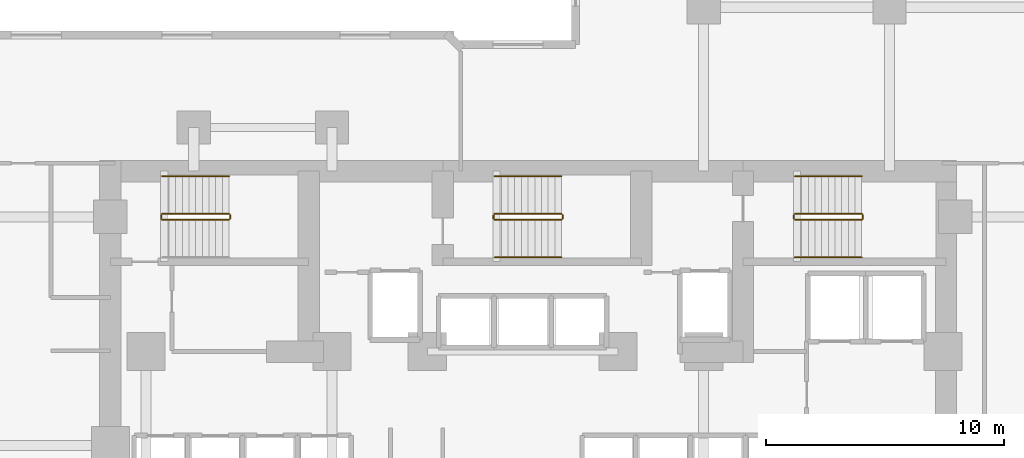
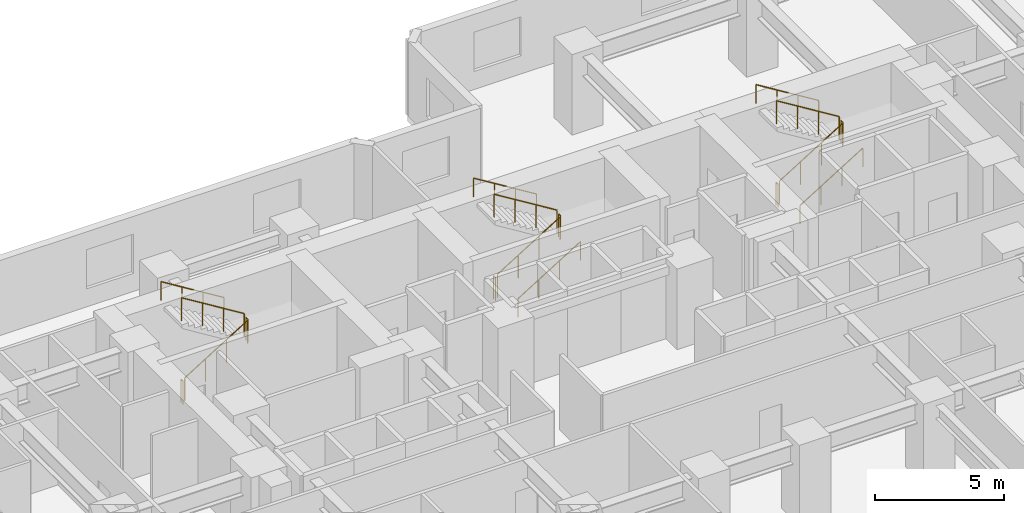
# One storey, part 11 of 11: 17 railings.
"""IFC4 building model written with IfcOpenShell, lengths in metres."""

import ifcopenshell
import ifcopenshell.guid

model = None  # the IFC model being written
_history = None  # IfcOwnerHistory: only IFC2X3 demands one
_inside = {}  # id of a spatial element -> (the spatial element, [elements in it])
_under = {}  # id of a project, library or spatial element -> (it, [spatial elements below it])
_declared = {}  # id of a project -> (the project, [libraries it declares])
_typed = {}  # id of a type object -> (the type object, [elements of that type])
_made_of = {}  # id of a material, layer set ... -> (it, [elements and type objects made of it])


def new_model(schema):
    """Start an empty IFC model of exactly this schema.

    Asked for "IFC4X3", IfcOpenShell would pick the latest addendum, in which some entities
    have other attributes; the version numbers below select the first issue.
    IFC2X3 requires an IfcOwnerHistory on every rooted entity: one is made here for all.
    """
    global model, _history
    if schema == "IFC4X3":
        model = ifcopenshell.file(schema_version=(4, 3, 0, 0))
    else:
        model = ifcopenshell.file(schema=schema)
    _inside.clear()
    _under.clear()
    _declared.clear()
    _typed.clear()
    _made_of.clear()
    _history = None
    if model.schema == "IFC2X3":
        org = make("IfcOrganization", Name="unknown")
        user = make(
            "IfcPersonAndOrganization",
            ThePerson=make("IfcPerson", FamilyName="unknown"),
            TheOrganization=org,
        )
        app = make(
            "IfcApplication",
            ApplicationDeveloper=org,
            Version="unknown",
            ApplicationFullName="unknown",
            ApplicationIdentifier="unknown",
        )
        _history = make(
            "IfcOwnerHistory",
            OwningUser=user,
            OwningApplication=app,
            ChangeAction="ADDED",
            CreationDate=0,
        )
    return model


def make(cls, **values):
    """One entity of the class cls with the attributes given. An attribute that is None is left unset."""
    return model.create_entity(
        cls, **{name: value for name, value in values.items() if value is not None}
    )


def rooted(cls, **values):
    """An entity with a GlobalId (a new one), such as an element, a storey or a relation."""
    return make(cls, GlobalId=ifcopenshell.guid.new(), OwnerHistory=_history, **values)


def si_unit(unit_type, name, prefix=None):
    """IfcSIUnit, for example si_unit("LENGTHUNIT", "METRE", prefix="MILLI")."""
    return make("IfcSIUnit", UnitType=unit_type, Prefix=prefix, Name=name)


def assignment(units):
    """IfcUnitAssignment: the units of a project."""
    return None if units is None else make("IfcUnitAssignment", Units=units)


def point(xyz):
    """IfcCartesianPoint."""
    return None if xyz is None else make("IfcCartesianPoint", Coordinates=xyz)


def direction(xyz):
    """IfcDirection."""
    return None if xyz is None else make("IfcDirection", DirectionRatios=xyz)


def frame(location, z_axis=None, x_axis=None):
    """IfcAxis2Placement3D, a coordinate frame: its origin and axes. An axis left out is left unset."""
    return make(
        "IfcAxis2Placement3D",
        Location=point(location),
        Axis=direction(z_axis),
        RefDirection=direction(x_axis),
    )


def frame_2d(location, x_axis=None):
    """IfcAxis2Placement2D, a coordinate frame in the plane: its origin and x axis."""
    return make(
        "IfcAxis2Placement2D", Location=point(location), RefDirection=direction(x_axis)
    )


def origin():
    """The frame at (0, 0, 0) with its axes left unset."""
    return frame((0.0, 0.0, 0.0))


def origin_2d():
    """The frame at (0, 0) in the plane with its x axis left unset."""
    return frame_2d((0.0, 0.0))


def place(relative_to, where):
    """IfcLocalPlacement: puts the frame where relative to a parent placement (None: the world)."""
    return make(
        "IfcLocalPlacement", PlacementRelTo=relative_to, RelativePlacement=where
    )


def context(
    kind, dimensions, precision=None, world=None, true_north=None, identifier=None
):
    """IfcGeometricRepresentationContext, for example the 3D "Model" context."""
    return make(
        "IfcGeometricRepresentationContext",
        ContextIdentifier=identifier,
        ContextType=kind,
        CoordinateSpaceDimension=dimensions,
        Precision=precision,
        WorldCoordinateSystem=world,
        TrueNorth=true_north,
    )


def subcontext(parent, identifier, kind, view, scale=None):
    """IfcGeometricRepresentationSubContext, for example "Body" below "Model"."""
    return make(
        "IfcGeometricRepresentationSubContext",
        ContextIdentifier=identifier,
        ContextType=kind,
        ParentContext=parent,
        TargetScale=scale,
        TargetView=view,
    )


def project(units=None, contexts=None):
    """IfcProject with its units and contexts."""
    return rooted(
        "IfcProject",
        Name="project",
        RepresentationContexts=contexts,
        UnitsInContext=assignment(units),
    )


def spatial(cls, under=None, at=None, **own):
    """A site, building, storey or space (cls), placed at a placement, below another one or the project."""
    s = rooted(cls, ObjectPlacement=at, **own)
    if under is not None:
        _under.setdefault(under.id(), (under, []))[1].append(s)
    return s


def profile(cls, at=None, kind="AREA", **sizes):
    """A parametric profile (cls). Its sizes go by their IFC names, for example OverallWidth=200.0."""
    return make(cls, ProfileType=kind, Position=at, **sizes)


def circle(**sizes):
    """IfcCircleProfileDef."""
    return profile("IfcCircleProfileDef", **sizes)


def extrude(swept, where, along, depth):
    """IfcExtrudedAreaSolid: the profile swept, set in the frame where, extruded along a direction by depth."""
    return make(
        "IfcExtrudedAreaSolid",
        SweptArea=swept,
        Position=where,
        ExtrudedDirection=direction(along),
        Depth=depth,
    )


def shape(context_of_items, identifier, shape_type, items):
    """IfcShapeRepresentation: the items that make up one representation, for example the "Body"."""
    return make(
        "IfcShapeRepresentation",
        ContextOfItems=context_of_items,
        RepresentationIdentifier=identifier,
        RepresentationType=shape_type,
        Items=items,
    )


def material(Name=None, Category=None):
    """IfcMaterial."""
    return make("IfcMaterial", Name=Name, Category=Category)


def made_of(thing, what):
    """Note that an element or type object is made of a material, layer set ...; save() writes the relation."""
    if what is not None:
        _made_of.setdefault(what.id(), (what, []))[1].append(thing)
    return thing


def type_object(cls, material=None, **own):
    """A type object (cls), such as IfcWallType, which elements share."""
    return made_of(rooted(cls, **own), material)


def element(
    cls,
    number,
    at=None,
    inside=None,
    cuts=None,
    type_object=None,
    material=None,
    context=None,
    identifier="Body",
    shape_type=None,
    held_by="IfcProductDefinitionShape",
    body=None,
    shapes=None,
    **own,
):
    """One element of the class cls, such as IfcWall. Its Tag is "e" and its number.

    at: its placement. inside: the storey or other place that contains it. cuts: it is an
    opening in that element (IfcRelVoidsElement). A single representation is given by context,
    identifier, shape_type and body (its items); several are given by shapes. held_by: the class
    of the entity that holds the representations. save() writes the other relations.
    """
    e = rooted(cls, Tag="e%d" % number, ObjectPlacement=at, **own)
    if body is not None:
        shapes = [shape(context, identifier, shape_type, body)]
    if shapes is not None:
        e.Representation = make(held_by, Representations=shapes)
    if inside is not None:
        _inside.setdefault(inside.id(), (inside, []))[1].append(e)
    if cuts is not None:
        rooted(
            "IfcRelVoidsElement", RelatingBuildingElement=cuts, RelatedOpeningElement=e
        )
    if type_object is not None:
        _typed.setdefault(type_object.id(), (type_object, []))[1].append(e)
    return made_of(e, material)


def aggregate(whole, parts):
    """IfcRelAggregates: a whole, such as a stair, and the parts it consists of."""
    return rooted("IfcRelAggregates", RelatingObject=whole, RelatedObjects=parts)


def save(model, path):
    """Write the relations noted so far, then the file.

    IfcRelAggregates (storeys below a building ...), IfcRelContainedInSpatialStructure (elements
    in a storey), IfcRelDefinesByType, IfcRelAssociatesMaterial and IfcRelDeclares: one each for
    every whole, place, type object, material and project.
    """
    for whole, parts in _under.values():
        aggregate(whole, parts)
    for where, things in _inside.values():
        rooted(
            "IfcRelContainedInSpatialStructure",
            RelatedElements=things,
            RelatingStructure=where,
        )
    for kind, things in _typed.values():
        rooted("IfcRelDefinesByType", RelatedObjects=things, RelatingType=kind)
    for what, things in _made_of.values():
        rooted("IfcRelAssociatesMaterial", RelatedObjects=things, RelatingMaterial=what)
    for by, libraries in _declared.values():
        rooted("IfcRelDeclares", RelatingContext=by, RelatedDefinitions=libraries)
    model.write(path)


model = new_model("IFC4")

# Units and contexts
model_context = context("Model", 3, precision=1e-05, world=origin(), true_north=direction((0.0, 1.0)))
body_context = subcontext(model_context, "Body", "Model", "MODEL_VIEW")
ifc_project = project(units=[si_unit("LENGTHUNIT", "METRE"), si_unit("AREAUNIT", "SQUARE_METRE"), si_unit("VOLUMEUNIT", "CUBIC_METRE"), si_unit("PLANEANGLEUNIT", "RADIAN"), si_unit("MASSUNIT", "GRAM", prefix="KILO")], contexts=[model_context])

# Site, building, storey
site_placement = place(None, origin())
site = spatial("IfcSite", under=ifc_project, at=site_placement, CompositionType="ELEMENT")
building_placement = place(site_placement, origin())
building = spatial("IfcBuilding", under=site, at=building_placement, Name="Kestravale Grand Hotel", CompositionType="ELEMENT")
storey_placement = place(building_placement, frame((0.0, 0.0, 45.0)))
storey = spatial("IfcBuildingStorey", under=building, at=storey_placement, Name="L10", CompositionType="ELEMENT", Elevation=45.0)

# Railings
ifc_material_1 = material(Name="Painted tubular steel stair well guard", Category="steel")
railing_type_1 = type_object("IfcRailingType", Name="RL-ST-GRD1100", PredefinedType="GUARDRAIL", material=ifc_material_1)
railing_1_placement = place(storey_placement, frame((24.080078125, 38.280029296875, 0.172607421875)))
element("IfcRailing", 1, at=railing_1_placement, inside=storey, type_object=railing_type_1, Name="L10 ST-1 stair guard 1", PredefinedType="GUARDRAIL", context=body_context, shape_type="SweptSolid", body=[
    extrude(circle(Radius=0.02392578125, at=origin_2d()), frame((0.0, 0.0, 1.076171875), z_axis=(0.851069175582, 0.0, 0.525053576669), x_axis=(0.0, 1.0, 0.0)), (0.0, 0.0, 1.0), 3.289794921875),
    extrude(circle(Radius=0.02099609375, at=origin_2d()), origin(), (0.0, 0.0, 1.0), 1.052001953125),
    extrude(circle(Radius=0.02099609375, at=origin_2d()), frame((0.933349609375, 0.0, 0.57568359375)), (0.0, 0.0, 1.0), 1.052001953125),
    extrude(circle(Radius=0.02099609375, at=origin_2d()), frame((1.866455078125, 0.0, 1.151611328125)), (0.0, 0.0, 1.0), 1.052001953125),
    extrude(circle(Radius=0.02099609375, at=origin_2d()), frame((2.7998046875, 0.0, 1.727294921875)), (0.0, 0.0, 1.0), 1.052001953125),
])
railing_2_placement = place(storey_placement, frame((26.929931640625, 38.330078125, 1.89990234375)))
element("IfcRailing", 2, at=railing_2_placement, inside=storey, type_object=railing_type_1, Name="L10 ST-1 stair guard 2", PredefinedType="GUARDRAIL", context=body_context, shape_type="SweptSolid", body=[
    extrude(circle(Radius=0.02392578125, at=origin_2d()), frame((0.0, 0.0, 1.076171875), z_axis=(0.0, 1.0, 0.0), x_axis=(-1.0, 0.0, 0.0)), (0.0, 0.0, 1.0), 0.14990234375),
    extrude(circle(Radius=0.02099609375, at=origin_2d()), origin(), (0.0, 0.0, 1.0), 1.052001953125),
    extrude(circle(Radius=0.02099609375, at=origin_2d()), frame((0.0, 0.14990234375, 0.0)), (0.0, 0.0, 1.0), 1.052001953125),
])
railing_3_placement = place(storey_placement, frame((26.8798828125, 38.530029296875, 2.07275390625)))
element("IfcRailing", 3, at=railing_3_placement, inside=storey, type_object=railing_type_1, Name="L10 ST-1 stair guard 3", PredefinedType="GUARDRAIL", context=body_context, shape_type="SweptSolid", body=[
    extrude(circle(Radius=0.02392578125, at=origin_2d()), frame((0.0, 0.0, 1.076171875), z_axis=(-0.851069175582, 0.0, 0.525053576669), x_axis=(0.0, -1.0, 0.0)), (0.0, 0.0, 1.0), 3.289794921875),
    extrude(circle(Radius=0.02099609375, at=origin_2d()), origin(), (0.0, 0.0, 1.0), 1.052001953125),
    extrude(circle(Radius=0.02099609375, at=origin_2d()), frame((-0.933349609375, 0.0, 0.57568359375)), (0.0, 0.0, 1.0), 1.052001953125),
    extrude(circle(Radius=0.02099609375, at=origin_2d()), frame((-1.866455078125, 0.0, 1.151611328125)), (0.0, 0.0, 1.0), 1.052001953125),
    extrude(circle(Radius=0.02099609375, at=origin_2d()), frame((-2.7998046875, 0.0, 1.727294921875)), (0.0, 0.0, 1.0), 1.052001953125),
])
railing_4_placement = place(storey_placement, frame((24.030029296875, 38.330078125, 0.0)))
element("IfcRailing", 4, at=railing_4_placement, inside=storey, type_object=railing_type_1, Name="L10 ST-1 stair guard 4", PredefinedType="GUARDRAIL", context=body_context, shape_type="SweptSolid", body=[
    extrude(circle(Radius=0.02392578125, at=origin_2d()), frame((0.0, 0.0, 1.076171875), z_axis=(0.0, 1.0, 0.0), x_axis=(-1.0, 0.0, 0.0)), (0.0, 0.0, 1.0), 0.14990234375),
    extrude(circle(Radius=0.02099609375, at=origin_2d()), origin(), (0.0, 0.0, 1.0), 1.052001953125),
    extrude(circle(Radius=0.02099609375, at=origin_2d()), frame((0.0, 0.14990234375, 0.0)), (0.0, 0.0, 1.0), 1.052001953125),
])
railing_5_placement = place(storey_placement, frame((38.030029296875, 38.280029296875, 0.172607421875)))
element("IfcRailing", 5, at=railing_5_placement, inside=storey, type_object=railing_type_1, Name="L10 ST-2 stair guard 1", PredefinedType="GUARDRAIL", context=body_context, shape_type="SweptSolid", body=[
    extrude(circle(Radius=0.02392578125, at=origin_2d()), frame((0.0, 0.0, 1.076171875), z_axis=(0.851089632645, 0.0, 0.525020415988), x_axis=(0.0, 1.0, 0.0)), (0.0, 0.0, 1.0), 3.2900390625),
    extrude(circle(Radius=0.02099609375, at=origin_2d()), origin(), (0.0, 0.0, 1.0), 1.052001953125),
    extrude(circle(Radius=0.02099609375, at=origin_2d()), frame((0.933349609375, 0.0, 0.57568359375)), (0.0, 0.0, 1.0), 1.052001953125),
    extrude(circle(Radius=0.02099609375, at=origin_2d()), frame((1.86669921875, 0.0, 1.151611328125)), (0.0, 0.0, 1.0), 1.052001953125),
    extrude(circle(Radius=0.02099609375, at=origin_2d()), frame((2.800048828125, 0.0, 1.727294921875)), (0.0, 0.0, 1.0), 1.052001953125),
])
railing_6_placement = place(storey_placement, frame((40.8798828125, 38.330078125, 1.89990234375)))
element("IfcRailing", 6, at=railing_6_placement, inside=storey, type_object=railing_type_1, Name="L10 ST-2 stair guard 2", PredefinedType="GUARDRAIL", context=body_context, shape_type="SweptSolid", body=[
    extrude(circle(Radius=0.02392578125, at=origin_2d()), frame((0.0, 0.0, 1.076171875), z_axis=(0.0, 1.0, 0.0), x_axis=(-1.0, 0.0, 0.0)), (0.0, 0.0, 1.0), 0.14990234375),
    extrude(circle(Radius=0.02099609375, at=origin_2d()), origin(), (0.0, 0.0, 1.0), 1.052001953125),
    extrude(circle(Radius=0.02099609375, at=origin_2d()), frame((0.0, 0.14990234375, 0.0)), (0.0, 0.0, 1.0), 1.052001953125),
])
railing_7_placement = place(storey_placement, frame((40.830078125, 38.530029296875, 2.07275390625)))
element("IfcRailing", 7, at=railing_7_placement, inside=storey, type_object=railing_type_1, Name="L10 ST-2 stair guard 3", PredefinedType="GUARDRAIL", context=body_context, shape_type="SweptSolid", body=[
    extrude(circle(Radius=0.02392578125, at=origin_2d()), frame((0.0, 0.0, 1.076171875), z_axis=(-0.851089632645, 0.0, 0.525020415988), x_axis=(0.0, -1.0, 0.0)), (0.0, 0.0, 1.0), 3.2900390625),
    extrude(circle(Radius=0.02099609375, at=origin_2d()), origin(), (0.0, 0.0, 1.0), 1.052001953125),
    extrude(circle(Radius=0.02099609375, at=origin_2d()), frame((-0.933349609375, 0.0, 0.57568359375)), (0.0, 0.0, 1.0), 1.052001953125),
    extrude(circle(Radius=0.02099609375, at=origin_2d()), frame((-1.86669921875, 0.0, 1.151611328125)), (0.0, 0.0, 1.0), 1.052001953125),
    extrude(circle(Radius=0.02099609375, at=origin_2d()), frame((-2.800048828125, 0.0, 1.727294921875)), (0.0, 0.0, 1.0), 1.052001953125),
])
railing_8_placement = place(storey_placement, frame((37.97998046875, 38.330078125, 0.0)))
element("IfcRailing", 8, at=railing_8_placement, inside=storey, type_object=railing_type_1, Name="L10 ST-2 stair guard 4", PredefinedType="GUARDRAIL", context=body_context, shape_type="SweptSolid", body=[
    extrude(circle(Radius=0.02392578125, at=origin_2d()), frame((0.0, 0.0, 1.076171875), z_axis=(0.0, 1.0, 0.0), x_axis=(-1.0, 0.0, 0.0)), (0.0, 0.0, 1.0), 0.14990234375),
    extrude(circle(Radius=0.02099609375, at=origin_2d()), origin(), (0.0, 0.0, 1.0), 1.052001953125),
    extrude(circle(Radius=0.02099609375, at=origin_2d()), frame((0.0, 0.14990234375, 0.0)), (0.0, 0.0, 1.0), 1.052001953125),
])
railing_9_placement = place(storey_placement, frame((50.6298828125, 38.280029296875, 0.172607421875)))
element("IfcRailing", 9, at=railing_9_placement, inside=storey, type_object=railing_type_1, Name="L10 ST-3 stair guard 1", PredefinedType="GUARDRAIL", context=body_context, shape_type="SweptSolid", body=[
    extrude(circle(Radius=0.02392578125, at=origin_2d()), frame((0.0, 0.0, 1.076171875), z_axis=(0.851089632645, 0.0, 0.525020415988), x_axis=(0.0, 1.0, 0.0)), (0.0, 0.0, 1.0), 3.2900390625),
    extrude(circle(Radius=0.02099609375, at=origin_2d()), origin(), (0.0, 0.0, 1.0), 1.052001953125),
    extrude(circle(Radius=0.02099609375, at=origin_2d()), frame((0.933349609375, 0.0, 0.57568359375)), (0.0, 0.0, 1.0), 1.052001953125),
    extrude(circle(Radius=0.02099609375, at=origin_2d()), frame((1.86669921875, 0.0, 1.151611328125)), (0.0, 0.0, 1.0), 1.052001953125),
    extrude(circle(Radius=0.02099609375, at=origin_2d()), frame((2.800048828125, 0.0, 1.727294921875)), (0.0, 0.0, 1.0), 1.052001953125),
])
railing_10_placement = place(storey_placement, frame((53.47998046875, 38.330078125, 1.89990234375)))
element("IfcRailing", 10, at=railing_10_placement, inside=storey, type_object=railing_type_1, Name="L10 ST-3 stair guard 2", PredefinedType="GUARDRAIL", context=body_context, shape_type="SweptSolid", body=[
    extrude(circle(Radius=0.02392578125, at=origin_2d()), frame((0.0, 0.0, 1.076171875), z_axis=(0.0, 1.0, 0.0), x_axis=(-1.0, 0.0, 0.0)), (0.0, 0.0, 1.0), 0.14990234375),
    extrude(circle(Radius=0.02099609375, at=origin_2d()), origin(), (0.0, 0.0, 1.0), 1.052001953125),
    extrude(circle(Radius=0.02099609375, at=origin_2d()), frame((0.0, 0.14990234375, 0.0)), (0.0, 0.0, 1.0), 1.052001953125),
])
railing_11_placement = place(storey_placement, frame((53.429931640625, 38.530029296875, 2.07275390625)))
element("IfcRailing", 11, at=railing_11_placement, inside=storey, type_object=railing_type_1, Name="L10 ST-3 stair guard 3", PredefinedType="GUARDRAIL", context=body_context, shape_type="SweptSolid", body=[
    extrude(circle(Radius=0.02392578125, at=origin_2d()), frame((0.0, 0.0, 1.076171875), z_axis=(-0.851089632645, 0.0, 0.525020415988), x_axis=(0.0, -1.0, 0.0)), (0.0, 0.0, 1.0), 3.2900390625),
    extrude(circle(Radius=0.02099609375, at=origin_2d()), origin(), (0.0, 0.0, 1.0), 1.052001953125),
    extrude(circle(Radius=0.02099609375, at=origin_2d()), frame((-0.933349609375, 0.0, 0.57568359375)), (0.0, 0.0, 1.0), 1.052001953125),
    extrude(circle(Radius=0.02099609375, at=origin_2d()), frame((-1.86669921875, 0.0, 1.151611328125)), (0.0, 0.0, 1.0), 1.052001953125),
    extrude(circle(Radius=0.02099609375, at=origin_2d()), frame((-2.800048828125, 0.0, 1.727294921875)), (0.0, 0.0, 1.0), 1.052001953125),
])
railing_12_placement = place(storey_placement, frame((50.580078125, 38.330078125, 0.0)))
element("IfcRailing", 12, at=railing_12_placement, inside=storey, type_object=railing_type_1, Name="L10 ST-3 stair guard 4", PredefinedType="GUARDRAIL", context=body_context, shape_type="SweptSolid", body=[
    extrude(circle(Radius=0.02392578125, at=origin_2d()), frame((0.0, 0.0, 1.076171875), z_axis=(0.0, 1.0, 0.0), x_axis=(-1.0, 0.0, 0.0)), (0.0, 0.0, 1.0), 0.14990234375),
    extrude(circle(Radius=0.02099609375, at=origin_2d()), origin(), (0.0, 0.0, 1.0), 1.052001953125),
    extrude(circle(Radius=0.02099609375, at=origin_2d()), frame((0.0, 0.14990234375, 0.0)), (0.0, 0.0, 1.0), 1.052001953125),
])
ifc_material_2 = material(Name="Brushed stainless steel wall handrail", Category="steel")
railing_type_2 = type_object("IfcRailingType", Name="RL-ST-HND900", PredefinedType="HANDRAIL", material=ifc_material_2)
railing_13_placement = place(storey_placement, frame((26.8798828125, 40.110107421875, 2.07275390625)))
element("IfcRailing", 13, at=railing_13_placement, inside=storey, type_object=railing_type_2, Name="L10 ST-1 stair handrail 2", PredefinedType="HANDRAIL", context=body_context, shape_type="SweptSolid", body=[
    extrude(circle(Radius=0.02392578125, at=origin_2d()), frame((0.0, 0.0, 0.8759765625), z_axis=(-0.851069175582, 0.0, 0.525053576669), x_axis=(0.0, -1.0, 0.0)), (0.0, 0.0, 1.0), 3.289794921875),
    extrude(circle(Radius=0.02099609375, at=origin_2d()), origin(), (0.0, 0.0, 1.0), 0.851806640625),
    extrude(circle(Radius=0.02099609375, at=origin_2d()), frame((-0.933349609375, 0.0, 0.57568359375)), (0.0, 0.0, 1.0), 0.851806640625),
    extrude(circle(Radius=0.02099609375, at=origin_2d()), frame((-1.866455078125, 0.0, 1.151611328125)), (0.0, 0.0, 1.0), 0.851806640625),
    extrude(circle(Radius=0.02099609375, at=origin_2d()), frame((-2.7998046875, 0.0, 1.727294921875)), (0.0, 0.0, 1.0), 0.851806640625),
])
railing_14_placement = place(storey_placement, frame((38.030029296875, 36.699951171875, 0.172607421875)))
element("IfcRailing", 14, at=railing_14_placement, inside=storey, type_object=railing_type_2, Name="L10 ST-2 stair handrail 1", PredefinedType="HANDRAIL", context=body_context, shape_type="SweptSolid", body=[
    extrude(circle(Radius=0.02392578125, at=origin_2d()), frame((0.0, 0.0, 0.8759765625), z_axis=(0.851089632645, 0.0, 0.525020415988), x_axis=(0.0, 1.0, 0.0)), (0.0, 0.0, 1.0), 3.2900390625),
    extrude(circle(Radius=0.02099609375, at=origin_2d()), origin(), (0.0, 0.0, 1.0), 0.851806640625),
    extrude(circle(Radius=0.02099609375, at=origin_2d()), frame((0.933349609375, 0.0, 0.57568359375)), (0.0, 0.0, 1.0), 0.851806640625),
    extrude(circle(Radius=0.02099609375, at=origin_2d()), frame((1.86669921875, 0.0, 1.151611328125)), (0.0, 0.0, 1.0), 0.851806640625),
    extrude(circle(Radius=0.02099609375, at=origin_2d()), frame((2.800048828125, 0.0, 1.727294921875)), (0.0, 0.0, 1.0), 0.851806640625),
])
railing_15_placement = place(storey_placement, frame((40.830078125, 40.110107421875, 2.07275390625)))
element("IfcRailing", 15, at=railing_15_placement, inside=storey, type_object=railing_type_2, Name="L10 ST-2 stair handrail 2", PredefinedType="HANDRAIL", context=body_context, shape_type="SweptSolid", body=[
    extrude(circle(Radius=0.02392578125, at=origin_2d()), frame((0.0, 0.0, 0.8759765625), z_axis=(-0.851089632645, 0.0, 0.525020415988), x_axis=(0.0, -1.0, 0.0)), (0.0, 0.0, 1.0), 3.2900390625),
    extrude(circle(Radius=0.02099609375, at=origin_2d()), origin(), (0.0, 0.0, 1.0), 0.851806640625),
    extrude(circle(Radius=0.02099609375, at=origin_2d()), frame((-0.933349609375, 0.0, 0.57568359375)), (0.0, 0.0, 1.0), 0.851806640625),
    extrude(circle(Radius=0.02099609375, at=origin_2d()), frame((-1.86669921875, 0.0, 1.151611328125)), (0.0, 0.0, 1.0), 0.851806640625),
    extrude(circle(Radius=0.02099609375, at=origin_2d()), frame((-2.800048828125, 0.0, 1.727294921875)), (0.0, 0.0, 1.0), 0.851806640625),
])
railing_16_placement = place(storey_placement, frame((50.6298828125, 36.699951171875, 0.172607421875)))
element("IfcRailing", 16, at=railing_16_placement, inside=storey, type_object=railing_type_2, Name="L10 ST-3 stair handrail 1", PredefinedType="HANDRAIL", context=body_context, shape_type="SweptSolid", body=[
    extrude(circle(Radius=0.02392578125, at=origin_2d()), frame((0.0, 0.0, 0.8759765625), z_axis=(0.851089632645, 0.0, 0.525020415988), x_axis=(0.0, 1.0, 0.0)), (0.0, 0.0, 1.0), 3.2900390625),
    extrude(circle(Radius=0.02099609375, at=origin_2d()), origin(), (0.0, 0.0, 1.0), 0.851806640625),
    extrude(circle(Radius=0.02099609375, at=origin_2d()), frame((0.933349609375, 0.0, 0.57568359375)), (0.0, 0.0, 1.0), 0.851806640625),
    extrude(circle(Radius=0.02099609375, at=origin_2d()), frame((1.86669921875, 0.0, 1.151611328125)), (0.0, 0.0, 1.0), 0.851806640625),
    extrude(circle(Radius=0.02099609375, at=origin_2d()), frame((2.800048828125, 0.0, 1.727294921875)), (0.0, 0.0, 1.0), 0.851806640625),
])
railing_17_placement = place(storey_placement, frame((53.429931640625, 40.110107421875, 2.07275390625)))
element("IfcRailing", 17, at=railing_17_placement, inside=storey, type_object=railing_type_2, Name="L10 ST-3 stair handrail 2", PredefinedType="HANDRAIL", context=body_context, shape_type="SweptSolid", body=[
    extrude(circle(Radius=0.02392578125, at=origin_2d()), frame((0.0, 0.0, 0.8759765625), z_axis=(-0.851089632645, 0.0, 0.525020415988), x_axis=(0.0, -1.0, 0.0)), (0.0, 0.0, 1.0), 3.2900390625),
    extrude(circle(Radius=0.02099609375, at=origin_2d()), origin(), (0.0, 0.0, 1.0), 0.851806640625),
    extrude(circle(Radius=0.02099609375, at=origin_2d()), frame((-0.933349609375, 0.0, 0.57568359375)), (0.0, 0.0, 1.0), 0.851806640625),
    extrude(circle(Radius=0.02099609375, at=origin_2d()), frame((-1.86669921875, 0.0, 1.151611328125)), (0.0, 0.0, 1.0), 0.851806640625),
    extrude(circle(Radius=0.02099609375, at=origin_2d()), frame((-2.800048828125, 0.0, 1.727294921875)), (0.0, 0.0, 1.0), 0.851806640625),
])

save(model, "model.ifc")
